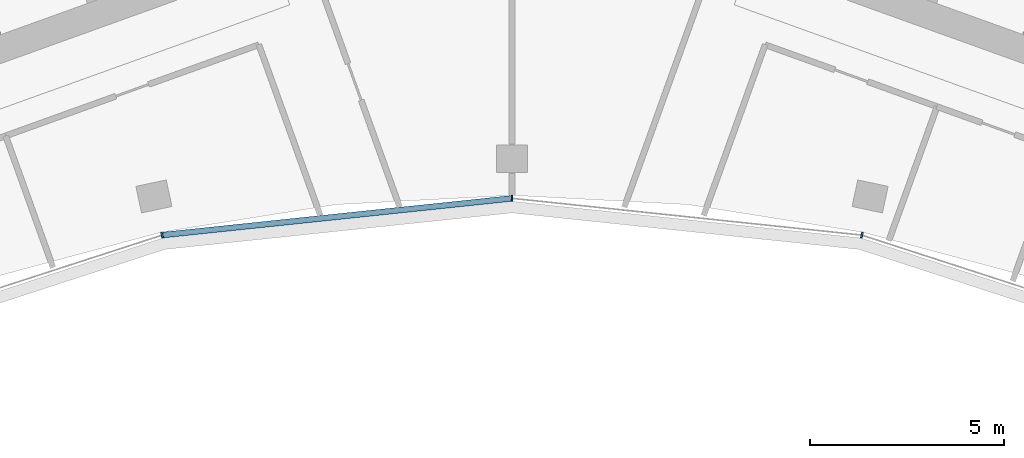
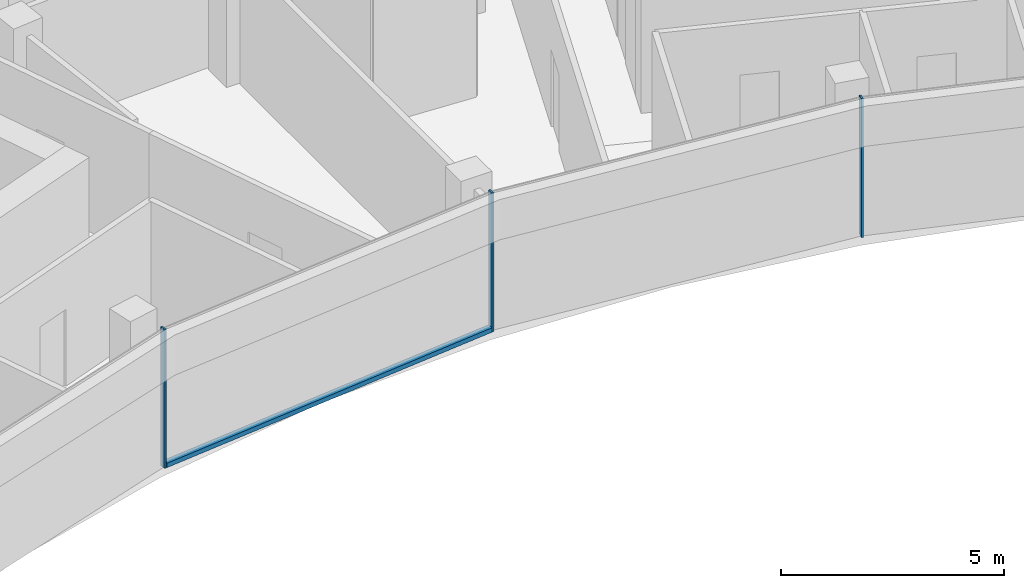
# One storey, part 5 of 18: 4 members, 1 element without a shape of its own.
"""IFC4 building model written with IfcOpenShell, lengths in metres."""

import ifcopenshell
import ifcopenshell.guid

model = None  # the IFC model being written
_history = None  # IfcOwnerHistory: only IFC2X3 demands one
_inside = {}  # id of a spatial element -> (the spatial element, [elements in it])
_under = {}  # id of a project, library or spatial element -> (it, [spatial elements below it])
_declared = {}  # id of a project -> (the project, [libraries it declares])
_typed = {}  # id of a type object -> (the type object, [elements of that type])
_made_of = {}  # id of a material, layer set ... -> (it, [elements and type objects made of it])


def new_model(schema):
    """Start an empty IFC model of exactly this schema.

    Asked for "IFC4X3", IfcOpenShell would pick the latest addendum, in which some entities
    have other attributes; the version numbers below select the first issue.
    IFC2X3 requires an IfcOwnerHistory on every rooted entity: one is made here for all.
    """
    global model, _history
    if schema == "IFC4X3":
        model = ifcopenshell.file(schema_version=(4, 3, 0, 0))
    else:
        model = ifcopenshell.file(schema=schema)
    _inside.clear()
    _under.clear()
    _declared.clear()
    _typed.clear()
    _made_of.clear()
    _history = None
    if model.schema == "IFC2X3":
        org = make("IfcOrganization", Name="unknown")
        user = make(
            "IfcPersonAndOrganization",
            ThePerson=make("IfcPerson", FamilyName="unknown"),
            TheOrganization=org,
        )
        app = make(
            "IfcApplication",
            ApplicationDeveloper=org,
            Version="unknown",
            ApplicationFullName="unknown",
            ApplicationIdentifier="unknown",
        )
        _history = make(
            "IfcOwnerHistory",
            OwningUser=user,
            OwningApplication=app,
            ChangeAction="ADDED",
            CreationDate=0,
        )
    return model


def make(cls, **values):
    """One entity of the class cls with the attributes given. An attribute that is None is left unset."""
    return model.create_entity(
        cls, **{name: value for name, value in values.items() if value is not None}
    )


def rooted(cls, **values):
    """An entity with a GlobalId (a new one), such as an element, a storey or a relation."""
    return make(cls, GlobalId=ifcopenshell.guid.new(), OwnerHistory=_history, **values)


def si_unit(unit_type, name, prefix=None):
    """IfcSIUnit, for example si_unit("LENGTHUNIT", "METRE", prefix="MILLI")."""
    return make("IfcSIUnit", UnitType=unit_type, Prefix=prefix, Name=name)


def assignment(units):
    """IfcUnitAssignment: the units of a project."""
    return None if units is None else make("IfcUnitAssignment", Units=units)


def point(xyz):
    """IfcCartesianPoint."""
    return None if xyz is None else make("IfcCartesianPoint", Coordinates=xyz)


def direction(xyz):
    """IfcDirection."""
    return None if xyz is None else make("IfcDirection", DirectionRatios=xyz)


def frame(location, z_axis=None, x_axis=None):
    """IfcAxis2Placement3D, a coordinate frame: its origin and axes. An axis left out is left unset."""
    return make(
        "IfcAxis2Placement3D",
        Location=point(location),
        Axis=direction(z_axis),
        RefDirection=direction(x_axis),
    )


def frame_2d(location, x_axis=None):
    """IfcAxis2Placement2D, a coordinate frame in the plane: its origin and x axis."""
    return make(
        "IfcAxis2Placement2D", Location=point(location), RefDirection=direction(x_axis)
    )


def origin():
    """The frame at (0, 0, 0) with its axes left unset."""
    return frame((0.0, 0.0, 0.0))


def origin_2d():
    """The frame at (0, 0) in the plane with its x axis left unset."""
    return frame_2d((0.0, 0.0))


def place(relative_to, where):
    """IfcLocalPlacement: puts the frame where relative to a parent placement (None: the world)."""
    return make(
        "IfcLocalPlacement", PlacementRelTo=relative_to, RelativePlacement=where
    )


def context(
    kind, dimensions, precision=None, world=None, true_north=None, identifier=None
):
    """IfcGeometricRepresentationContext, for example the 3D "Model" context."""
    return make(
        "IfcGeometricRepresentationContext",
        ContextIdentifier=identifier,
        ContextType=kind,
        CoordinateSpaceDimension=dimensions,
        Precision=precision,
        WorldCoordinateSystem=world,
        TrueNorth=true_north,
    )


def subcontext(parent, identifier, kind, view, scale=None):
    """IfcGeometricRepresentationSubContext, for example "Body" below "Model"."""
    return make(
        "IfcGeometricRepresentationSubContext",
        ContextIdentifier=identifier,
        ContextType=kind,
        ParentContext=parent,
        TargetScale=scale,
        TargetView=view,
    )


def project(units=None, contexts=None):
    """IfcProject with its units and contexts."""
    return rooted(
        "IfcProject",
        Name="project",
        RepresentationContexts=contexts,
        UnitsInContext=assignment(units),
    )


def spatial(cls, under=None, at=None, **own):
    """A site, building, storey or space (cls), placed at a placement, below another one or the project."""
    s = rooted(cls, ObjectPlacement=at, **own)
    if under is not None:
        _under.setdefault(under.id(), (under, []))[1].append(s)
    return s


def profile(cls, at=None, kind="AREA", **sizes):
    """A parametric profile (cls). Its sizes go by their IFC names, for example OverallWidth=200.0."""
    return make(cls, ProfileType=kind, Position=at, **sizes)


def rectangle(**sizes):
    """IfcRectangleProfileDef."""
    return profile("IfcRectangleProfileDef", **sizes)


def extrude(swept, where, along, depth):
    """IfcExtrudedAreaSolid: the profile swept, set in the frame where, extruded along a direction by depth."""
    return make(
        "IfcExtrudedAreaSolid",
        SweptArea=swept,
        Position=where,
        ExtrudedDirection=direction(along),
        Depth=depth,
    )


def shape(context_of_items, identifier, shape_type, items):
    """IfcShapeRepresentation: the items that make up one representation, for example the "Body"."""
    return make(
        "IfcShapeRepresentation",
        ContextOfItems=context_of_items,
        RepresentationIdentifier=identifier,
        RepresentationType=shape_type,
        Items=items,
    )


def material(Name=None, Category=None):
    """IfcMaterial."""
    return make("IfcMaterial", Name=Name, Category=Category)


def layer(
    of_material, thickness, ventilated=None, Name=None, Category=None, Priority=None
):
    """IfcMaterialLayer: one layer of a wall or slab, of a material (None: an air gap)."""
    return make(
        "IfcMaterialLayer",
        Material=of_material,
        LayerThickness=thickness,
        IsVentilated=ventilated,
        Name=Name,
        Category=Category,
        Priority=Priority,
    )


def layer_set(layers, Name=None):
    """IfcMaterialLayerSet."""
    return make("IfcMaterialLayerSet", MaterialLayers=layers, LayerSetName=Name)


def material_profile(
    of_material, cross_section, Name=None, Category=None, Priority=None
):
    """IfcMaterialProfile: a cross section and its material."""
    return make(
        "IfcMaterialProfile",
        Name=Name,
        Material=of_material,
        Profile=cross_section,
        Priority=Priority,
        Category=Category,
    )


def profile_set(profiles, Name=None, composite=None):
    """IfcMaterialProfileSet."""
    return make(
        "IfcMaterialProfileSet",
        Name=Name,
        MaterialProfiles=profiles,
        CompositeProfile=composite,
    )


def made_of(thing, what):
    """Note that an element or type object is made of a material, layer set ...; save() writes the relation."""
    if what is not None:
        _made_of.setdefault(what.id(), (what, []))[1].append(thing)
    return thing


def type_object(cls, material=None, **own):
    """A type object (cls), such as IfcWallType, which elements share."""
    return made_of(rooted(cls, **own), material)


def element(
    cls,
    number,
    at=None,
    inside=None,
    cuts=None,
    type_object=None,
    material=None,
    context=None,
    identifier="Body",
    shape_type=None,
    held_by="IfcProductDefinitionShape",
    body=None,
    shapes=None,
    **own,
):
    """One element of the class cls, such as IfcWall. Its Tag is "e" and its number.

    at: its placement. inside: the storey or other place that contains it. cuts: it is an
    opening in that element (IfcRelVoidsElement). A single representation is given by context,
    identifier, shape_type and body (its items); several are given by shapes. held_by: the class
    of the entity that holds the representations. save() writes the other relations.
    """
    e = rooted(cls, Tag="e%d" % number, ObjectPlacement=at, **own)
    if body is not None:
        shapes = [shape(context, identifier, shape_type, body)]
    if shapes is not None:
        e.Representation = make(held_by, Representations=shapes)
    if inside is not None:
        _inside.setdefault(inside.id(), (inside, []))[1].append(e)
    if cuts is not None:
        rooted(
            "IfcRelVoidsElement", RelatingBuildingElement=cuts, RelatedOpeningElement=e
        )
    if type_object is not None:
        _typed.setdefault(type_object.id(), (type_object, []))[1].append(e)
    return made_of(e, material)


def aggregate(whole, parts):
    """IfcRelAggregates: a whole, such as a stair, and the parts it consists of."""
    return rooted("IfcRelAggregates", RelatingObject=whole, RelatedObjects=parts)


def save(model, path):
    """Write the relations noted so far, then the file.

    IfcRelAggregates (storeys below a building ...), IfcRelContainedInSpatialStructure (elements
    in a storey), IfcRelDefinesByType, IfcRelAssociatesMaterial and IfcRelDeclares: one each for
    every whole, place, type object, material and project.
    """
    for whole, parts in _under.values():
        aggregate(whole, parts)
    for where, things in _inside.values():
        rooted(
            "IfcRelContainedInSpatialStructure",
            RelatedElements=things,
            RelatingStructure=where,
        )
    for kind, things in _typed.values():
        rooted("IfcRelDefinesByType", RelatedObjects=things, RelatingType=kind)
    for what, things in _made_of.values():
        rooted("IfcRelAssociatesMaterial", RelatedObjects=things, RelatingMaterial=what)
    for by, libraries in _declared.values():
        rooted("IfcRelDeclares", RelatingContext=by, RelatedDefinitions=libraries)
    model.write(path)


model = new_model("IFC4")

# Units and contexts
model_context = context("Model", 3, precision=1e-05, world=origin(), true_north=direction((0.0, 1.0)))
body_context = subcontext(model_context, "Body", "Model", "MODEL_VIEW")
ifc_project = project(units=[si_unit("LENGTHUNIT", "METRE"), si_unit("AREAUNIT", "SQUARE_METRE"), si_unit("VOLUMEUNIT", "CUBIC_METRE"), si_unit("PLANEANGLEUNIT", "RADIAN"), si_unit("MASSUNIT", "GRAM", prefix="KILO")], contexts=[model_context])

# Site, building, storey
site_placement = place(None, origin())
site = spatial("IfcSite", under=ifc_project, at=site_placement, CompositionType="ELEMENT")
building_placement = place(site_placement, origin())
building = spatial("IfcBuilding", under=site, at=building_placement, Name="Stone Belt Terrace Tower", CompositionType="ELEMENT")
storey_placement = place(building_placement, frame((0.0, 0.0, 296.0)))
storey = spatial("IfcBuildingStorey", under=building, at=storey_placement, Name="L72", CompositionType="ELEMENT", Elevation=296.0)

# Curtain wall, members
ifc_material = material(Name="Aluminium 6063-T6 anodised frame", Category="aluminium")
ifc_layer = layer(ifc_material, 0.14990234375)
ifc_layer_set = layer_set([ifc_layer], Name="CW-B unitised concave-face curtain wall")
curtain_wall_type = type_object("IfcCurtainWallType", Name="CW-B unitised concave-face curtain wall", PredefinedType="NOTDEFINED", material=ifc_layer_set)
curtain_wall_placement = place(storey_placement, origin())
curtain_wall = element("IfcCurtainWall", 1, at=curtain_wall_placement, inside=storey, type_object=curtain_wall_type, Name="CW-B concave face L72", PredefinedType="NOTDEFINED")
ifc_material_profile_1 = material_profile(ifc_material, rectangle(XDim=0.14990234375, YDim=0.050048828125, at=origin_2d()), Name="Aluminium 6063-T6 50x150")
ifc_profile_set_1 = profile_set([ifc_material_profile_1], Name="Aluminium 6063-T6 anodised frame")
member_type_1 = type_object("IfcMemberType", Name="CW-B mullion 50 x 150", PredefinedType="MULLION", material=ifc_profile_set_1)
member_1_placement = place(storey_placement, frame((-9.028564453125, 42.4755859375, 0.0), z_axis=(0.0, 0.0, 1.0), x_axis=(-0.207911690818, 0.978147600734, 0.0)))
member_1 = element("IfcMember", 2, at=member_1_placement, type_object=member_type_1, Name="CW-B mullion 4", PredefinedType="MULLION", context=body_context, shape_type="SweptSolid", body=[
    extrude(rectangle(XDim=0.14990234375, YDim=0.050048828125, at=origin_2d()), origin(), (0.0, 0.0, 1.0), 3.800048828125),
])
member_2_placement = place(storey_placement, frame((0.0, 43.424560546875, 0.0), z_axis=(0.0, 0.0, 1.0), x_axis=(0.0, 1.0, 0.0)))
member_2 = element("IfcMember", 3, at=member_2_placement, type_object=member_type_1, Name="CW-B mullion 5", PredefinedType="MULLION", context=body_context, shape_type="SweptSolid", body=[
    extrude(rectangle(XDim=0.14990234375, YDim=0.050048828125, at=origin_2d()), origin(), (0.0, 0.0, 1.0), 3.800048828125),
])
member_3_placement = place(storey_placement, frame((9.028564453125, 42.4755859375, 0.0), z_axis=(0.0, 0.0, 1.0), x_axis=(0.207911690818, 0.978147600734, 0.0)))
member_3 = element("IfcMember", 4, at=member_3_placement, type_object=member_type_1, Name="CW-B mullion 6", PredefinedType="MULLION", context=body_context, shape_type="SweptSolid", body=[
    extrude(rectangle(XDim=0.14990234375, YDim=0.050048828125, at=origin_2d()), origin(), (0.0, 0.0, 1.0), 3.800048828125),
])
ifc_material_profile_2 = material_profile(ifc_material, rectangle(XDim=0.14990234375, YDim=0.1201171875, at=origin_2d()), Name="Aluminium 6063-T6 150x120")
ifc_profile_set_2 = profile_set([ifc_material_profile_2], Name="Aluminium 6063-T6 anodised frame")
member_type_2 = type_object("IfcMemberType", Name="CW-B transom 120 x 150", PredefinedType="USERDEFINED", material=ifc_profile_set_2)
member_4_placement = place(storey_placement, frame((-8.995849609375, 42.47900390625, 0.06005859375), z_axis=(0.994521323407, 0.104533904969, 0.0), x_axis=(-0.104533904969, 0.994521323407, 0.0)))
member_4 = element("IfcMember", 5, at=member_4_placement, type_object=member_type_2, Name="CW-B transom 4.1", ObjectType="TRANSOM", PredefinedType="USERDEFINED", context=body_context, shape_type="SweptSolid", body=[
    extrude(rectangle(XDim=0.14990234375, YDim=0.1201171875, at=origin_2d()), origin(), (0.0, 0.0, 1.0), 9.0126953125),
])
aggregate(curtain_wall, [member_1, member_2, member_3, member_4])

save(model, "model.ifc")
